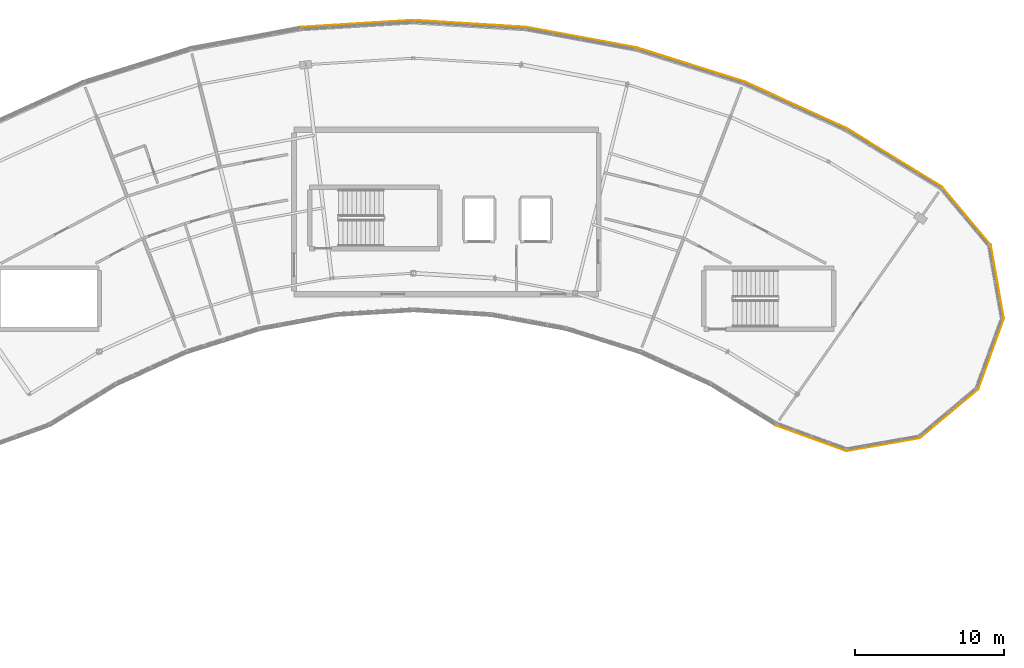
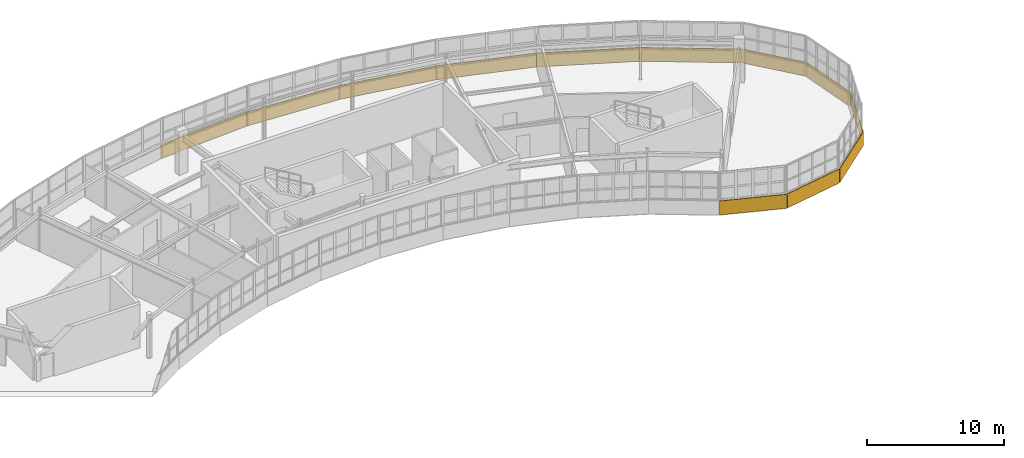
# One storey, part 60 of 60: 12 coverings.
"""IFC4 building model written with IfcOpenShell, lengths in metres."""

from ifc_helpers import new_model, si_unit, direction, frame, origin, origin_2d, place, context, subcontext, project, spatial, rectangle, extrude, material, layer, layer_set, type_object, element, save


model = new_model("IFC4")

# Units and contexts
model_context = context("Model", 3, precision=1e-05, world=origin(), true_north=direction((0.0, 1.0)))
body_context = subcontext(model_context, "Body", "Model", "MODEL_VIEW")
ifc_project = project(units=[si_unit("LENGTHUNIT", "METRE"), si_unit("AREAUNIT", "SQUARE_METRE"), si_unit("VOLUMEUNIT", "CUBIC_METRE"), si_unit("PLANEANGLEUNIT", "RADIAN"), si_unit("MASSUNIT", "GRAM", prefix="KILO")], contexts=[model_context])

# Site, building, storey
site_placement = place(None, origin())
site = spatial("IfcSite", under=ifc_project, at=site_placement, CompositionType="ELEMENT")
building_placement = place(site_placement, origin())
building = spatial("IfcBuilding", under=site, at=building_placement, Name="Tarnwether General Hospital", CompositionType="ELEMENT")
storey_placement = place(building_placement, frame((0.0, 0.0, 26.10009765625)))
storey = spatial("IfcBuildingStorey", under=building, at=storey_placement, Name="L06", CompositionType="ELEMENT", Elevation=26.10009765625)

# Coverings
ifc_material = material(Name="Streamlined white enamelled aluminium", Category="aluminium")
ifc_layer = layer(ifc_material, 0.044921875)
ifc_layer_set = layer_set([ifc_layer], Name="Streamlined white enamelled aluminium")
covering_type = type_object("IfcCoveringType", Name="CV-CLD-WHT", PredefinedType="CLADDING", material=ifc_layer_set)
covering_1_placement = place(storey_placement, frame((118.60888671875, 96.758056640625, -0.175048828125), z_axis=(0.0, 0.0, 1.0), x_axis=(-0.93965082813, 0.342134945884, 0.0)))
element("IfcCovering", 1, at=covering_1_placement, inside=storey, type_object=covering_type, Name="Streamlined White Horizontal Band NW L06 16", PredefinedType="CLADDING", context=body_context, shape_type="SweptSolid", body=[
    extrude(rectangle(XDim=4.968994140625, YDim=0.044921875, at=origin_2d()), origin(), (0.0, 0.0, 1.0), 1.25),
])
for number, where, z_axis, x_axis, name in (
    (2, (123.458984375, 96.333984375, -0.175048828125), (0.0, 0.0, 1.0), (-0.98480472213, -0.173665365778, 0.0), "Streamlined White Horizontal Band NW L06 17"),
    (3, (127.87109375, 98.39111328125, -0.175048828125), (0.0, 0.0, 1.0), (-0.765988346401, -0.642854457228, 0.0), "Streamlined White Horizontal Band NW L06 18"),
):
    element("IfcCovering", number, at=place(storey_placement, frame(where, z_axis=z_axis, x_axis=x_axis)), inside=storey, type_object=covering_type, Name=name, PredefinedType="CLADDING", context=body_context, shape_type="SweptSolid", body=[
        extrude(rectangle(XDim=4.969970703125, YDim=0.044921875, at=origin_2d()), origin(), (0.0, 0.0, 1.0), 1.25),
    ])
covering_2_placement = place(storey_placement, frame((130.6640625, 102.37890625, -0.175048828125), z_axis=(0.0, 0.0, 1.0), x_axis=(-0.341954539571, -0.939716496006, 0.0)))
element("IfcCovering", 4, at=covering_2_placement, inside=storey, type_object=covering_type, Name="Streamlined White Horizontal Band NW L06 19", PredefinedType="CLADDING", context=body_context, shape_type="SweptSolid", body=[
    extrude(rectangle(XDim=4.968017578125, YDim=0.044921875, at=origin_2d()), origin(), (0.0, 0.0, 1.0), 1.25),
])
covering_3_placement = place(storey_placement, frame((131.087890625, 107.22900390625, -0.175048828125), z_axis=(0.0, 0.0, 1.0), x_axis=(0.173459104952, -0.984841072919, 0.0)))
element("IfcCovering", 5, at=covering_3_placement, inside=storey, type_object=covering_type, Name="Streamlined White Horizontal Band NW L06 20", PredefinedType="CLADDING", context=body_context, shape_type="SweptSolid", body=[
    extrude(rectangle(XDim=4.968994140625, YDim=0.044921875, at=origin_2d()), origin(), (0.0, 0.0, 1.0), 1.25),
])
covering_4_placement = place(storey_placement, frame((129.031005859375, 111.64111328125, -0.175048828125), z_axis=(0.0, 0.0, 1.0), x_axis=(0.642854457228, -0.765988346401, 0.0)))
element("IfcCovering", 6, at=covering_4_placement, inside=storey, type_object=covering_type, Name="Streamlined White Horizontal Band NW L06 21", PredefinedType="CLADDING", context=body_context, shape_type="SweptSolid", body=[
    extrude(rectangle(XDim=4.969970703125, YDim=0.044921875, at=origin_2d()), origin(), (0.0, 0.0, 1.0), 1.25),
])
for number, where, z_axis, x_axis, name in (
    (7, (124.194091796875, 115.5380859375, -0.175048828125), (0.0, 0.0, 1.0), (0.852631044904, -0.522513446015, 0.0), "Streamlined White Horizontal Band NW L06 22"),
    (8, (117.552001953125, 119.070068359375, -0.175048828125), (0.0, 0.0, 1.0), (0.909961270877, -0.414693242656, 0.0), "Streamlined White Horizontal Band NW L06 23"),
    (9, (110.528076171875, 121.764892578125, -0.175048828125), (0.0, 0.0, 1.0), (0.953743188648, -0.300622570855, 0.0), "Streamlined White Horizontal Band NW L06 24"),
    (10, (103.22900390625, 123.5849609375, -0.175048828125), (0.0, 0.0, 1.0), (0.983245364386, -0.182287008349, 0.0), "Streamlined White Horizontal Band NW L06 25"),
    (11, (95.761962890625, 124.501953125, -0.175048828125), (0.0, 0.0, 1.0), (0.998135863768, -0.061031118787, 0.0), "Streamlined White Horizontal Band NW L06 26"),
    (12, (88.238037109375, 124.501953125, -0.175048828125), (0.0, 0.0, 1.0), (0.998135863768, 0.061031118787, 0.0), "Streamlined White Horizontal Band NW L06 27"),
):
    element("IfcCovering", number, at=place(storey_placement, frame(where, z_axis=z_axis, x_axis=x_axis)), inside=storey, type_object=covering_type, Name=name, PredefinedType="CLADDING", context=body_context, shape_type="SweptSolid", body=[
        extrude(rectangle(XDim=7.52099609375, YDim=0.044921875, at=origin_2d()), origin(), (0.0, 0.0, 1.0), 1.25),
    ])

save(model, "model.ifc")
